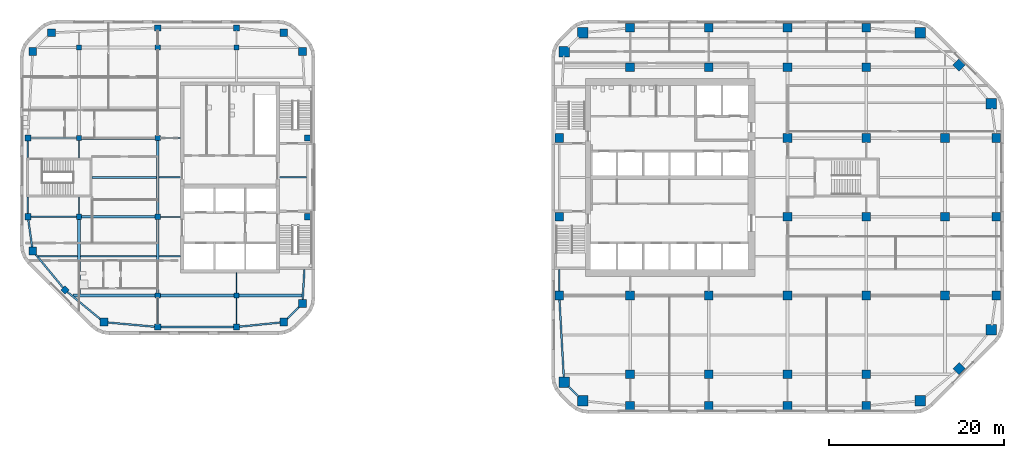
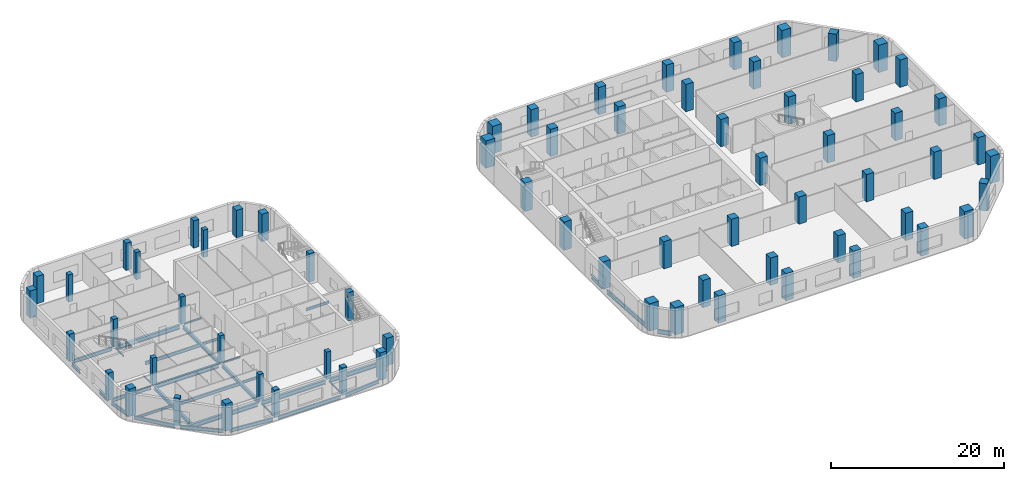
# One storey, part 1 of 14: 69 columns, 36 beams.
"""IFC4 building model written with IfcOpenShell, lengths in metres."""

import ifcopenshell
import ifcopenshell.guid

model = None  # the IFC model being written
_history = None  # IfcOwnerHistory: only IFC2X3 demands one
_inside = {}  # id of a spatial element -> (the spatial element, [elements in it])
_under = {}  # id of a project, library or spatial element -> (it, [spatial elements below it])
_declared = {}  # id of a project -> (the project, [libraries it declares])
_typed = {}  # id of a type object -> (the type object, [elements of that type])
_made_of = {}  # id of a material, layer set ... -> (it, [elements and type objects made of it])


def new_model(schema):
    """Start an empty IFC model of exactly this schema.

    Asked for "IFC4X3", IfcOpenShell would pick the latest addendum, in which some entities
    have other attributes; the version numbers below select the first issue.
    IFC2X3 requires an IfcOwnerHistory on every rooted entity: one is made here for all.
    """
    global model, _history
    if schema == "IFC4X3":
        model = ifcopenshell.file(schema_version=(4, 3, 0, 0))
    else:
        model = ifcopenshell.file(schema=schema)
    _inside.clear()
    _under.clear()
    _declared.clear()
    _typed.clear()
    _made_of.clear()
    _history = None
    if model.schema == "IFC2X3":
        org = make("IfcOrganization", Name="unknown")
        user = make(
            "IfcPersonAndOrganization",
            ThePerson=make("IfcPerson", FamilyName="unknown"),
            TheOrganization=org,
        )
        app = make(
            "IfcApplication",
            ApplicationDeveloper=org,
            Version="unknown",
            ApplicationFullName="unknown",
            ApplicationIdentifier="unknown",
        )
        _history = make(
            "IfcOwnerHistory",
            OwningUser=user,
            OwningApplication=app,
            ChangeAction="ADDED",
            CreationDate=0,
        )
    return model


def make(cls, **values):
    """One entity of the class cls with the attributes given. An attribute that is None is left unset."""
    return model.create_entity(
        cls, **{name: value for name, value in values.items() if value is not None}
    )


def rooted(cls, **values):
    """An entity with a GlobalId (a new one), such as an element, a storey or a relation."""
    return make(cls, GlobalId=ifcopenshell.guid.new(), OwnerHistory=_history, **values)


def si_unit(unit_type, name, prefix=None):
    """IfcSIUnit, for example si_unit("LENGTHUNIT", "METRE", prefix="MILLI")."""
    return make("IfcSIUnit", UnitType=unit_type, Prefix=prefix, Name=name)


def assignment(units):
    """IfcUnitAssignment: the units of a project."""
    return None if units is None else make("IfcUnitAssignment", Units=units)


def point(xyz):
    """IfcCartesianPoint."""
    return None if xyz is None else make("IfcCartesianPoint", Coordinates=xyz)


def direction(xyz):
    """IfcDirection."""
    return None if xyz is None else make("IfcDirection", DirectionRatios=xyz)


def frame(location, z_axis=None, x_axis=None):
    """IfcAxis2Placement3D, a coordinate frame: its origin and axes. An axis left out is left unset."""
    return make(
        "IfcAxis2Placement3D",
        Location=point(location),
        Axis=direction(z_axis),
        RefDirection=direction(x_axis),
    )


def frame_2d(location, x_axis=None):
    """IfcAxis2Placement2D, a coordinate frame in the plane: its origin and x axis."""
    return make(
        "IfcAxis2Placement2D", Location=point(location), RefDirection=direction(x_axis)
    )


def origin():
    """The frame at (0, 0, 0) with its axes left unset."""
    return frame((0.0, 0.0, 0.0))


def origin_2d():
    """The frame at (0, 0) in the plane with its x axis left unset."""
    return frame_2d((0.0, 0.0))


def place(relative_to, where):
    """IfcLocalPlacement: puts the frame where relative to a parent placement (None: the world)."""
    return make(
        "IfcLocalPlacement", PlacementRelTo=relative_to, RelativePlacement=where
    )


def context(
    kind, dimensions, precision=None, world=None, true_north=None, identifier=None
):
    """IfcGeometricRepresentationContext, for example the 3D "Model" context."""
    return make(
        "IfcGeometricRepresentationContext",
        ContextIdentifier=identifier,
        ContextType=kind,
        CoordinateSpaceDimension=dimensions,
        Precision=precision,
        WorldCoordinateSystem=world,
        TrueNorth=true_north,
    )


def subcontext(parent, identifier, kind, view, scale=None):
    """IfcGeometricRepresentationSubContext, for example "Body" below "Model"."""
    return make(
        "IfcGeometricRepresentationSubContext",
        ContextIdentifier=identifier,
        ContextType=kind,
        ParentContext=parent,
        TargetScale=scale,
        TargetView=view,
    )


def project(units=None, contexts=None):
    """IfcProject with its units and contexts."""
    return rooted(
        "IfcProject",
        Name="project",
        RepresentationContexts=contexts,
        UnitsInContext=assignment(units),
    )


def spatial(cls, under=None, at=None, **own):
    """A site, building, storey or space (cls), placed at a placement, below another one or the project."""
    s = rooted(cls, ObjectPlacement=at, **own)
    if under is not None:
        _under.setdefault(under.id(), (under, []))[1].append(s)
    return s


def profile(cls, at=None, kind="AREA", **sizes):
    """A parametric profile (cls). Its sizes go by their IFC names, for example OverallWidth=200.0."""
    return make(cls, ProfileType=kind, Position=at, **sizes)


def rectangle(**sizes):
    """IfcRectangleProfileDef."""
    return profile("IfcRectangleProfileDef", **sizes)


def i_section(**sizes):
    """IfcIShapeProfileDef."""
    return profile("IfcIShapeProfileDef", **sizes)


def extrude(swept, where, along, depth):
    """IfcExtrudedAreaSolid: the profile swept, set in the frame where, extruded along a direction by depth."""
    return make(
        "IfcExtrudedAreaSolid",
        SweptArea=swept,
        Position=where,
        ExtrudedDirection=direction(along),
        Depth=depth,
    )


def shape(context_of_items, identifier, shape_type, items):
    """IfcShapeRepresentation: the items that make up one representation, for example the "Body"."""
    return make(
        "IfcShapeRepresentation",
        ContextOfItems=context_of_items,
        RepresentationIdentifier=identifier,
        RepresentationType=shape_type,
        Items=items,
    )


def material(Name=None, Category=None):
    """IfcMaterial."""
    return make("IfcMaterial", Name=Name, Category=Category)


def material_profile(
    of_material, cross_section, Name=None, Category=None, Priority=None
):
    """IfcMaterialProfile: a cross section and its material."""
    return make(
        "IfcMaterialProfile",
        Name=Name,
        Material=of_material,
        Profile=cross_section,
        Priority=Priority,
        Category=Category,
    )


def profile_set(profiles, Name=None, composite=None):
    """IfcMaterialProfileSet."""
    return make(
        "IfcMaterialProfileSet",
        Name=Name,
        MaterialProfiles=profiles,
        CompositeProfile=composite,
    )


def made_of(thing, what):
    """Note that an element or type object is made of a material, layer set ...; save() writes the relation."""
    if what is not None:
        _made_of.setdefault(what.id(), (what, []))[1].append(thing)
    return thing


def type_object(cls, material=None, **own):
    """A type object (cls), such as IfcWallType, which elements share."""
    return made_of(rooted(cls, **own), material)


def element(
    cls,
    number,
    at=None,
    inside=None,
    cuts=None,
    type_object=None,
    material=None,
    context=None,
    identifier="Body",
    shape_type=None,
    held_by="IfcProductDefinitionShape",
    body=None,
    shapes=None,
    **own,
):
    """One element of the class cls, such as IfcWall. Its Tag is "e" and its number.

    at: its placement. inside: the storey or other place that contains it. cuts: it is an
    opening in that element (IfcRelVoidsElement). A single representation is given by context,
    identifier, shape_type and body (its items); several are given by shapes. held_by: the class
    of the entity that holds the representations. save() writes the other relations.
    """
    e = rooted(cls, Tag="e%d" % number, ObjectPlacement=at, **own)
    if body is not None:
        shapes = [shape(context, identifier, shape_type, body)]
    if shapes is not None:
        e.Representation = make(held_by, Representations=shapes)
    if inside is not None:
        _inside.setdefault(inside.id(), (inside, []))[1].append(e)
    if cuts is not None:
        rooted(
            "IfcRelVoidsElement", RelatingBuildingElement=cuts, RelatedOpeningElement=e
        )
    if type_object is not None:
        _typed.setdefault(type_object.id(), (type_object, []))[1].append(e)
    return made_of(e, material)


def aggregate(whole, parts):
    """IfcRelAggregates: a whole, such as a stair, and the parts it consists of."""
    return rooted("IfcRelAggregates", RelatingObject=whole, RelatedObjects=parts)


def save(model, path):
    """Write the relations noted so far, then the file.

    IfcRelAggregates (storeys below a building ...), IfcRelContainedInSpatialStructure (elements
    in a storey), IfcRelDefinesByType, IfcRelAssociatesMaterial and IfcRelDeclares: one each for
    every whole, place, type object, material and project.
    """
    for whole, parts in _under.values():
        aggregate(whole, parts)
    for where, things in _inside.values():
        rooted(
            "IfcRelContainedInSpatialStructure",
            RelatedElements=things,
            RelatingStructure=where,
        )
    for kind, things in _typed.values():
        rooted("IfcRelDefinesByType", RelatedObjects=things, RelatingType=kind)
    for what, things in _made_of.values():
        rooted("IfcRelAssociatesMaterial", RelatedObjects=things, RelatingMaterial=what)
    for by, libraries in _declared.values():
        rooted("IfcRelDeclares", RelatingContext=by, RelatedDefinitions=libraries)
    model.write(path)


model = new_model("IFC4")

# Units and contexts
model_context = context("Model", 3, precision=1e-05, world=origin(), true_north=direction((0.0, 1.0)))
body_context = subcontext(model_context, "Body", "Model", "MODEL_VIEW")
ifc_project = project(units=[si_unit("LENGTHUNIT", "METRE"), si_unit("AREAUNIT", "SQUARE_METRE"), si_unit("VOLUMEUNIT", "CUBIC_METRE"), si_unit("PLANEANGLEUNIT", "RADIAN"), si_unit("MASSUNIT", "GRAM", prefix="KILO")], contexts=[model_context])

# Site, building, storey
site_placement = place(None, origin())
site = spatial("IfcSite", under=ifc_project, at=site_placement, CompositionType="ELEMENT")
building_placement = place(site_placement, origin())
building = spatial("IfcBuilding", under=site, at=building_placement, Name="Cinnabar Reach Civic Tower", CompositionType="ELEMENT")
storey_placement = place(building_placement, frame((0.0, 0.0, 132.0)))
storey = spatial("IfcBuildingStorey", under=building, at=storey_placement, Name="L31", CompositionType="ELEMENT", Elevation=132.0)

# Columns
ifc_material_1 = material(Name="Concrete C70", Category="concrete")
ifc_material_profile_1 = material_profile(ifc_material_1, rectangle(XDim=1.0, YDim=1.0, at=origin_2d()), Name="RC1000")
ifc_profile_set_1 = profile_set([ifc_material_profile_1], Name="Concrete C70")
column_type_1 = type_object("IfcColumnType", Name="RC1000 column R 240", PredefinedType="COLUMN", material=ifc_profile_set_1)
for number, where, z_axis, x_axis, name in (
    (1, (9.0, 5.4, 0.0), (0.0, 0.0, 1.0), (1.0, 0.0, 0.0), "Column T1-Z2-F0-1"),
    (2, (18.0, 5.4, 0.0), (0.0, 0.0, 1.0), (1.0, 0.0, 0.0), "Column T1-Z2-F0-2"),
    (3, (27.0, 5.4, 0.0), (0.0, 0.0, 1.0), (1.0, 0.0, 0.0), "Column T1-Z2-F0-3"),
    (4, (36.0, 5.4, 0.0), (0.0, 0.0, 1.0), (1.0, 0.0, 0.0), "Column T1-Z2-F0-4"),
    (5, (46.6136, 9.6364, 0.0), (0.0, 0.0, 1.0), (0.707106781187, 0.707106781187, 0.0), "Column T1-Z2-F1-M"),
    (6, (50.85, 18.0, 0.0), (0.0, 0.0, 1.0), (1.0, 0.0, 0.0), "Column T1-Z2-F2-2"),
    (7, (50.85, 27.0, 0.0), (0.0, 0.0, 1.0), (1.0, 0.0, 0.0), "Column T1-Z2-F2-3"),
    (8, (50.85, 36.0, 0.0), (0.0, 0.0, 1.0), (1.0, 0.0, 0.0), "Column T1-Z2-F2-4"),
    (9, (46.6136, 44.3636, 0.0), (0.0, 0.0, 1.0), (0.707106781187, 0.707106781187, 0.0), "Column T1-Z2-F3-M"),
    (10, (9.0, 48.6, 0.0), (0.0, 0.0, 1.0), (1.0, 0.0, 0.0), "Column T1-Z2-F4-1"),
    (11, (18.0, 48.6, 0.0), (0.0, 0.0, 1.0), (1.0, 0.0, 0.0), "Column T1-Z2-F4-2"),
    (12, (27.0, 48.6, 0.0), (0.0, 0.0, 1.0), (1.0, 0.0, 0.0), "Column T1-Z2-F4-3"),
    (13, (36.0, 48.6, 0.0), (0.0, 0.0, 1.0), (1.0, 0.0, 0.0), "Column T1-Z2-F4-4"),
    (14, (0.9, 18.0, 0.0), (0.0, 0.0, 1.0), (1.0, 0.0, 0.0), "Column T1-Z2-F6-2"),
):
    element("IfcColumn", number, at=place(storey_placement, frame(where, z_axis=z_axis, x_axis=x_axis)), inside=storey, type_object=column_type_1, Name=name, PredefinedType="COLUMN", context=body_context, shape_type="SweptSolid", body=[
        extrude(rectangle(XDim=1.0, YDim=1.0, at=origin_2d()), origin(), (0.0, 0.0, 1.0), 3.85),
    ])
for number, where, z_axis, x_axis, name in (
    (15, (0.9, 27.0, 0.0), (0.0, 0.0, 1.0), (1.0, 0.0, 0.0), "Column T1-Z2-F6-3"),
    (16, (0.9, 36.0, 0.0), (0.0, 0.0, 1.0), (1.0, 0.0, 0.0), "Column T1-Z2-F6-4"),
):
    element("IfcColumn", number, at=place(storey_placement, frame(where, z_axis=z_axis, x_axis=x_axis)), inside=storey, type_object=column_type_1, Name=name, PredefinedType="COLUMN", context=body_context, shape_type="SweptSolid", body=[
        extrude(rectangle(XDim=1.0, YDim=1.0, at=origin_2d()), origin(), (0.0, 0.0, 1.0), 4.0),
    ])
for number, where, z_axis, x_axis, name in (
    (17, (9.0, 9.0, 0.0), (0.0, 0.0, 1.0), (1.0, 0.0, 0.0), "Column T1-Z2-I9_9"),
    (18, (9.0, 18.0, 0.0), (0.0, 0.0, 1.0), (1.0, 0.0, 0.0), "Column T1-Z2-I9_18"),
    (19, (9.0, 44.1, 0.0), (0.0, 0.0, 1.0), (1.0, 0.0, 0.0), "Column T1-Z2-I9_45"),
    (20, (18.0, 9.0, 0.0), (0.0, 0.0, 1.0), (1.0, 0.0, 0.0), "Column T1-Z2-I18_9"),
    (21, (18.0, 18.0, 0.0), (0.0, 0.0, 1.0), (1.0, 0.0, 0.0), "Column T1-Z2-I18_18"),
    (22, (18.0, 44.1, 0.0), (0.0, 0.0, 1.0), (1.0, 0.0, 0.0), "Column T1-Z2-I18_45"),
    (23, (27.0, 9.0, 0.0), (0.0, 0.0, 1.0), (1.0, 0.0, 0.0), "Column T1-Z2-I27_9"),
    (24, (27.0, 18.0, 0.0), (0.0, 0.0, 1.0), (1.0, 0.0, 0.0), "Column T1-Z2-I27_18"),
    (25, (27.0, 27.0, 0.0), (0.0, 0.0, 1.0), (1.0, 0.0, 0.0), "Column T1-Z2-I27_27"),
    (26, (27.0, 36.0, 0.0), (0.0, 0.0, 1.0), (1.0, 0.0, 0.0), "Column T1-Z2-I27_36"),
    (27, (27.0, 44.1, 0.0), (0.0, 0.0, 1.0), (1.0, 0.0, 0.0), "Column T1-Z2-I27_45"),
    (28, (36.0, 9.0, 0.0), (0.0, 0.0, 1.0), (1.0, 0.0, 0.0), "Column T1-Z2-I36_9"),
    (29, (36.0, 18.0, 0.0), (0.0, 0.0, 1.0), (1.0, 0.0, 0.0), "Column T1-Z2-I36_18"),
    (30, (36.0, 27.0, 0.0), (0.0, 0.0, 1.0), (1.0, 0.0, 0.0), "Column T1-Z2-I36_27"),
    (31, (36.0, 36.0, 0.0), (0.0, 0.0, 1.0), (1.0, 0.0, 0.0), "Column T1-Z2-I36_36"),
    (32, (36.0, 44.1, 0.0), (0.0, 0.0, 1.0), (1.0, 0.0, 0.0), "Column T1-Z2-I36_45"),
    (33, (45.0, 18.0, 0.0), (0.0, 0.0, 1.0), (1.0, 0.0, 0.0), "Column T1-Z2-I45_18"),
    (34, (45.0, 27.0, 0.0), (0.0, 0.0, 1.0), (1.0, 0.0, 0.0), "Column T1-Z2-I45_27"),
    (35, (45.0, 36.0, 0.0), (0.0, 0.0, 1.0), (1.0, 0.0, 0.0), "Column T1-Z2-I45_36"),
):
    element("IfcColumn", number, at=place(storey_placement, frame(where, z_axis=z_axis, x_axis=x_axis)), inside=storey, type_object=column_type_1, Name=name, PredefinedType="COLUMN", context=body_context, shape_type="SweptSolid", body=[
        extrude(rectangle(XDim=1.0, YDim=1.0, at=origin_2d()), origin(), (0.0, 0.0, 1.0), 3.85),
    ])
ifc_material_2 = material(Name="Concrete C80", Category="concrete")
ifc_material_profile_2 = material_profile(ifc_material_2, rectangle(XDim=1.2, YDim=1.2, at=origin_2d()), Name="RC1200")
ifc_profile_set_2 = profile_set([ifc_material_profile_2], Name="Concrete C80")
column_type_2 = type_object("IfcColumnType", Name="RC1200 column R 240", PredefinedType="COLUMN", material=ifc_profile_set_2)
for number, where, z_axis, x_axis, name in (
    (36, (3.6019, 5.9531, 0.0), (0.0, 0.0, 1.0), (1.0, 0.0, 0.0), "Column T1-Z2-CC0"),
    (37, (42.1481, 5.9531, 0.0), (0.0, 0.0, 1.0), (1.0, 0.0, 0.0), "Column T1-Z2-CC1"),
    (38, (50.2969, 14.1019, 0.0), (0.0, 0.0, 1.0), (1.0, 0.0, 0.0), "Column T1-Z2-CC2"),
    (39, (50.2969, 39.8981, 0.0), (0.0, 0.0, 1.0), (1.0, 0.0, 0.0), "Column T1-Z2-CC3"),
    (40, (42.1481, 48.0469, 0.0), (0.0, 0.0, 1.0), (1.0, 0.0, 0.0), "Column T1-Z2-CC4"),
    (41, (3.6019, 48.0469, 0.0), (0.0, 0.0, 1.0), (1.0, 0.0, 0.0), "Column T1-Z2-CC5"),
    (42, (1.4531, 45.8981, 0.0), (0.0, 0.0, 1.0), (1.0, 0.0, 0.0), "Column T1-Z2-CC6"),
    (43, (1.4531, 8.1019, 0.0), (0.0, 0.0, 1.0), (1.0, 0.0, 0.0), "Column T1-Z2-CC7"),
):
    element("IfcColumn", number, at=place(storey_placement, frame(where, z_axis=z_axis, x_axis=x_axis)), inside=storey, type_object=column_type_2, Name=name, PredefinedType="COLUMN", context=body_context, shape_type="SweptSolid", body=[
        extrude(rectangle(XDim=1.2, YDim=1.2, at=origin_2d()), origin(), (0.0, 0.0, 1.0), 3.85),
    ])
ifc_material_3 = material(Name="Concrete C60", Category="concrete")
ifc_material_profile_3 = material_profile(ifc_material_3, rectangle(XDim=0.6, YDim=0.6, at=origin_2d()), Name="RC600")
ifc_profile_set_3 = profile_set([ifc_material_profile_3], Name="Concrete C60")
column_type_3 = type_object("IfcColumnType", Name="RC600 column R 180", PredefinedType="COLUMN", material=ifc_profile_set_3)
for number, where, z_axis, x_axis, name in (
    (44, (-54.0, 27.0, 0.0), (0.0, 0.0, 1.0), (1.0, 0.0, 0.0), "Column T2-Z3-I-54_27"),
    (45, (-54.0, 36.0, 0.0), (0.0, 0.0, 1.0), (1.0, 0.0, 0.0), "Column T2-Z3-I-54_36"),
    (46, (-54.0, 46.35, 0.0), (0.0, 0.0, 1.0), (1.0, 0.0, 0.0), "Column T2-Z3-I-54_45"),
    (47, (-45.0, 18.0, 0.0), (0.0, 0.0, 1.0), (1.0, 0.0, 0.0), "Column T2-Z3-I-45_18"),
    (48, (-45.0, 27.0, 0.0), (0.0, 0.0, 1.0), (1.0, 0.0, 0.0), "Column T2-Z3-I-45_27"),
    (49, (-45.0, 36.0, 0.0), (0.0, 0.0, 1.0), (1.0, 0.0, 0.0), "Column T2-Z3-I-45_36"),
    (50, (-45.0, 46.35, 0.0), (0.0, 0.0, 1.0), (1.0, 0.0, 0.0), "Column T2-Z3-I-45_45"),
    (51, (-36.0, 18.0, 0.0), (0.0, 0.0, 1.0), (1.0, 0.0, 0.0), "Column T2-Z3-I-36_18"),
    (52, (-36.0, 46.35, 0.0), (0.0, 0.0, 1.0), (1.0, 0.0, 0.0), "Column T2-Z3-I-36_45"),
):
    element("IfcColumn", number, at=place(storey_placement, frame(where, z_axis=z_axis, x_axis=x_axis)), inside=storey, type_object=column_type_3, Name=name, PredefinedType="COLUMN", context=body_context, shape_type="SweptSolid", body=[
        extrude(rectangle(XDim=0.6, YDim=0.6, at=origin_2d()), origin(), (0.0, 0.0, 1.0), 3.85),
    ])
ifc_material_profile_4 = material_profile(ifc_material_3, rectangle(XDim=0.7, YDim=0.7, at=origin_2d()), Name="RC700")
ifc_profile_set_4 = profile_set([ifc_material_profile_4], Name="Concrete C60")
column_type_4 = type_object("IfcColumnType", Name="RC700 column R 180", PredefinedType="COLUMN", material=ifc_profile_set_4)
for number, where, z_axis, x_axis, name in (
    (53, (-45.0, 14.4, 0.0), (0.0, 0.0, 1.0), (1.0, 0.0, 0.0), "Column T2-Z3-F0--5"),
    (54, (-36.0, 14.4, 0.0), (0.0, 0.0, 1.0), (1.0, 0.0, 0.0), "Column T2-Z3-F0--4"),
):
    element("IfcColumn", number, at=place(storey_placement, frame(where, z_axis=z_axis, x_axis=x_axis)), inside=storey, type_object=column_type_4, Name=name, PredefinedType="COLUMN", context=body_context, shape_type="SweptSolid", body=[
        extrude(rectangle(XDim=0.7, YDim=0.7, at=origin_2d()), origin(), (0.0, 0.0, 1.0), 3.85),
    ])
for number, where, z_axis, x_axis, name in (
    (55, (-27.9, 27.0, 0.0), (0.0, 0.0, 1.0), (1.0, 0.0, 0.0), "Column T2-Z3-F2-3"),
    (56, (-27.9, 36.0, 0.0), (0.0, 0.0, 1.0), (1.0, 0.0, 0.0), "Column T2-Z3-F2-4"),
):
    element("IfcColumn", number, at=place(storey_placement, frame(where, z_axis=z_axis, x_axis=x_axis)), inside=storey, type_object=column_type_4, Name=name, PredefinedType="COLUMN", context=body_context, shape_type="SweptSolid", body=[
        extrude(rectangle(XDim=0.7, YDim=0.7, at=origin_2d()), origin(), (0.0, 0.0, 1.0), 4.0),
    ])
for number, where, z_axis, x_axis, name in (
    (57, (-45.0, 48.6, 0.0), (0.0, 0.0, 1.0), (1.0, 0.0, 0.0), "Column T2-Z3-F4--5"),
    (58, (-36.0, 48.6, 0.0), (0.0, 0.0, 1.0), (1.0, 0.0, 0.0), "Column T2-Z3-F4--4"),
    (59, (-59.85, 27.0, 0.0), (0.0, 0.0, 1.0), (1.0, 0.0, 0.0), "Column T2-Z3-F6-3"),
    (60, (-59.85, 36.0, 0.0), (0.0, 0.0, 1.0), (1.0, 0.0, 0.0), "Column T2-Z3-F6-4"),
    (61, (-55.6136, 18.6364, 0.0), (0.0, 0.0, 1.0), (0.707106781187, 0.707106781187, 0.0), "Column T2-Z3-F7-M"),
):
    element("IfcColumn", number, at=place(storey_placement, frame(where, z_axis=z_axis, x_axis=x_axis)), inside=storey, type_object=column_type_4, Name=name, PredefinedType="COLUMN", context=body_context, shape_type="SweptSolid", body=[
        extrude(rectangle(XDim=0.7, YDim=0.7, at=origin_2d()), origin(), (0.0, 0.0, 1.0), 3.85),
    ])
ifc_material_profile_5 = material_profile(ifc_material_1, rectangle(XDim=0.9, YDim=0.9, at=origin_2d()), Name="RC900")
ifc_profile_set_5 = profile_set([ifc_material_profile_5], Name="Concrete C70")
column_type_5 = type_object("IfcColumnType", Name="RC900 column R 180", PredefinedType="COLUMN", material=ifc_profile_set_5)
for number, where, z_axis, x_axis, name in (
    (62, (-51.1481, 14.9531, 0.0), (0.0, 0.0, 1.0), (1.0, 0.0, 0.0), "Column T2-Z3-CC0"),
    (63, (-30.6019, 14.9531, 0.0), (0.0, 0.0, 1.0), (1.0, 0.0, 0.0), "Column T2-Z3-CC1"),
    (64, (-28.4531, 17.1019, 0.0), (0.0, 0.0, 1.0), (1.0, 0.0, 0.0), "Column T2-Z3-CC2"),
    (65, (-28.4531, 45.8981, 0.0), (0.0, 0.0, 1.0), (1.0, 0.0, 0.0), "Column T2-Z3-CC3"),
    (66, (-30.6019, 48.0469, 0.0), (0.0, 0.0, 1.0), (1.0, 0.0, 0.0), "Column T2-Z3-CC4"),
    (67, (-57.1481, 48.0469, 0.0), (0.0, 0.0, 1.0), (1.0, 0.0, 0.0), "Column T2-Z3-CC5"),
    (68, (-59.2969, 45.8981, 0.0), (0.0, 0.0, 1.0), (1.0, 0.0, 0.0), "Column T2-Z3-CC6"),
    (69, (-59.2969, 23.1019, 0.0), (0.0, 0.0, 1.0), (1.0, 0.0, 0.0), "Column T2-Z3-CC7"),
):
    element("IfcColumn", number, at=place(storey_placement, frame(where, z_axis=z_axis, x_axis=x_axis)), inside=storey, type_object=column_type_5, Name=name, PredefinedType="COLUMN", context=body_context, shape_type="SweptSolid", body=[
        extrude(rectangle(XDim=0.9, YDim=0.9, at=origin_2d()), origin(), (0.0, 0.0, 1.0), 3.85),
    ])

# Beams
ifc_material_4 = material(Name="Steel Q355B", Category="steel")
ifc_material_profile_6 = material_profile(ifc_material_4, i_section(OverallWidth=0.3, OverallDepth=0.488, WebThickness=0.011, FlangeThickness=0.018, FilletRadius=0.016, at=origin_2d()), Name="HM488x300x11x18")
ifc_profile_set_6 = profile_set([ifc_material_profile_6], Name="Steel Q355B")
beam_type_1 = type_object("IfcBeamType", Name="HM488x300x11x18 beam R 120", PredefinedType="BEAM", material=ifc_profile_set_6)
beam_1_placement = place(storey_placement, frame((-54.0, 18.152, -0.394), z_axis=(0.0, 1.0, 0.0), x_axis=(-1.0, 0.0, 0.0)))
element("IfcBeam", 70, at=beam_1_placement, inside=storey, type_object=beam_type_1, Name="Girder T2 L31 1", PredefinedType="BEAM", context=body_context, shape_type="SweptSolid", body=[
    extrude(i_section(OverallWidth=0.3, OverallDepth=0.488, WebThickness=0.011, FlangeThickness=0.018, FilletRadius=0.016, at=origin_2d()), origin(), (0.0, 0.0, 1.0), 8.546),
])
for number, where, z_axis, x_axis, name in (
    (71, (-45.0, 18.302, -0.394), (0.0, 1.0, 0.0), (-1.0, 0.0, 0.0), "Girder T2 L31 7"),
    (72, (-45.0, 27.302, -0.394), (0.0, 1.0, 0.0), (-1.0, 0.0, 0.0), "Girder T2 L31 8"),
):
    element("IfcBeam", number, at=place(storey_placement, frame(where, z_axis=z_axis, x_axis=x_axis)), inside=storey, type_object=beam_type_1, Name=name, PredefinedType="BEAM", context=body_context, shape_type="SweptSolid", body=[
        extrude(i_section(OverallWidth=0.3, OverallDepth=0.488, WebThickness=0.011, FlangeThickness=0.018, FilletRadius=0.016, at=origin_2d()), origin(), (0.0, 0.0, 1.0), 8.396),
    ])
ifc_material_profile_7 = material_profile(ifc_material_4, i_section(OverallWidth=0.3, OverallDepth=0.588, WebThickness=0.012, FlangeThickness=0.02, FilletRadius=0.016, at=origin_2d()), Name="HM588x300x12x20")
ifc_profile_set_7 = profile_set([ifc_material_profile_7], Name="Steel Q355B")
beam_type_2 = type_object("IfcBeamType", Name="HM588x300x12x20 beam R 120", PredefinedType="BEAM", material=ifc_profile_set_7)
beam_2_placement = place(storey_placement, frame((-54.6818, 18.0, -0.444), z_axis=(1.0, 0.0, 0.0), x_axis=(0.0, 1.0, 0.0)))
element("IfcBeam", 73, at=beam_2_placement, inside=storey, type_object=beam_type_2, Name="Girder T2 L31 1", PredefinedType="BEAM", context=body_context, shape_type="SweptSolid", body=[
    extrude(i_section(OverallWidth=0.3, OverallDepth=0.588, WebThickness=0.012, FlangeThickness=0.02, FilletRadius=0.016, at=origin_2d()), origin(), (0.0, 0.0, 1.0), 9.3798),
])
beam_3_placement = place(storey_placement, frame((-44.698, 18.0, -0.444), z_axis=(1.0, 0.0, 0.0), x_axis=(0.0, 1.0, 0.0)))
element("IfcBeam", 74, at=beam_3_placement, inside=storey, type_object=beam_type_2, Name="Girder T2 L31 2", PredefinedType="BEAM", context=body_context, shape_type="SweptSolid", body=[
    extrude(i_section(OverallWidth=0.3, OverallDepth=0.588, WebThickness=0.012, FlangeThickness=0.02, FilletRadius=0.016, at=origin_2d()), origin(), (0.0, 0.0, 1.0), 8.396),
])
beam_4_placement = place(storey_placement, frame((-35.698, 18.0, -0.444), z_axis=(1.0, 0.0, 0.0), x_axis=(0.0, 1.0, 0.0)))
element("IfcBeam", 75, at=beam_4_placement, inside=storey, type_object=beam_type_2, Name="Girder T2 L31 3", PredefinedType="BEAM", context=body_context, shape_type="SweptSolid", body=[
    extrude(i_section(OverallWidth=0.3, OverallDepth=0.588, WebThickness=0.012, FlangeThickness=0.02, FilletRadius=0.016, at=origin_2d()), origin(), (0.0, 0.0, 1.0), 7.1929),
])
for number, where, z_axis, x_axis, name in (
    (76, (-53.698, 27.0, -0.444), (1.0, 0.0, 0.0), (0.0, 1.0, 0.0), "Girder T2 L31 5"),
    (77, (-53.698, 36.0, -0.444), (1.0, 0.0, 0.0), (0.0, 1.0, 0.0), "Girder T2 L31 8"),
):
    element("IfcBeam", number, at=place(storey_placement, frame(where, z_axis=z_axis, x_axis=x_axis)), inside=storey, type_object=beam_type_2, Name=name, PredefinedType="BEAM", context=body_context, shape_type="SweptSolid", body=[
        extrude(i_section(OverallWidth=0.3, OverallDepth=0.588, WebThickness=0.012, FlangeThickness=0.02, FilletRadius=0.016, at=origin_2d()), origin(), (0.0, 0.0, 1.0), 8.396),
    ])
ifc_material_profile_8 = material_profile(ifc_material_4, i_section(OverallWidth=0.099, OverallDepth=0.198, WebThickness=0.0045, FlangeThickness=0.007, FilletRadius=0.013, at=origin_2d()), Name="HN200x100x5.5x8")
ifc_profile_set_8 = profile_set([ifc_material_profile_8], Name="Steel Q355B")
beam_type_3 = type_object("IfcBeamType", Name="HN200x100x5.5x8 beam R 120", PredefinedType="BEAM", material=ifc_profile_set_8)
for number, where, z_axis, x_axis, name in (
    (78, (-54.0, 27.302, -0.249), (0.0, 1.0, 0.0), (-1.0, 0.0, 0.0), "Girder T2 L31 2"),
    (79, (-54.0, 33.752, -0.249), (0.0, 1.0, 0.0), (-1.0, 0.0, 0.0), "Girder T2 L31 3"),
):
    element("IfcBeam", number, at=place(storey_placement, frame(where, z_axis=z_axis, x_axis=x_axis)), inside=storey, type_object=beam_type_3, Name=name, PredefinedType="BEAM", context=body_context, shape_type="SweptSolid", body=[
        extrude(i_section(OverallWidth=0.099, OverallDepth=0.198, WebThickness=0.0045, FlangeThickness=0.007, FilletRadius=0.013, at=origin_2d()), origin(), (0.0, 0.0, 1.0), 1.946),
    ])
for number, where, z_axis, x_axis, name in (
    (80, (-45.0, 14.752, -0.249), (0.0, 1.0, 0.0), (-1.0, 0.0, 0.0), "Girder T2 L31 6"),
    (81, (-36.0, 14.752, -0.249), (0.0, 1.0, 0.0), (-1.0, 0.0, 0.0), "Girder T2 L31 11"),
):
    element("IfcBeam", number, at=place(storey_placement, frame(where, z_axis=z_axis, x_axis=x_axis)), inside=storey, type_object=beam_type_3, Name=name, PredefinedType="BEAM", context=body_context, shape_type="SweptSolid", body=[
        extrude(i_section(OverallWidth=0.099, OverallDepth=0.198, WebThickness=0.0045, FlangeThickness=0.007, FilletRadius=0.013, at=origin_2d()), origin(), (0.0, 0.0, 1.0), 2.946),
    ])
beam_5_placement = place(storey_placement, frame((-36.0, 18.302, -0.249), z_axis=(0.0, 1.0, 0.0), x_axis=(-1.0, 0.0, 0.0)))
element("IfcBeam", 82, at=beam_5_placement, inside=storey, type_object=beam_type_3, Name="Girder T2 L31 12", PredefinedType="BEAM", context=body_context, shape_type="SweptSolid", body=[
    extrude(i_section(OverallWidth=0.099, OverallDepth=0.198, WebThickness=0.0045, FlangeThickness=0.007, FilletRadius=0.013, at=origin_2d()), origin(), (0.0, 0.0, 1.0), 2.296),
])
ifc_material_profile_9 = material_profile(ifc_material_4, i_section(OverallWidth=0.124, OverallDepth=0.248, WebThickness=0.005, FlangeThickness=0.008, FilletRadius=0.013, at=origin_2d()), Name="HN250x125x6x9")
ifc_profile_set_9 = profile_set([ifc_material_profile_9], Name="Steel Q355B")
beam_type_4 = type_object("IfcBeamType", Name="HN250x125x6x9 beam R 120", PredefinedType="BEAM", material=ifc_profile_set_9)
for number, where, z_axis, x_axis, name in (
    (83, (-44.698, 27.0, -0.274), (1.0, 0.0, 0.0), (0.0, 1.0, 0.0), "Girder T2 L31 6"),
    (84, (-44.698, 36.0, -0.274), (1.0, 0.0, 0.0), (0.0, 1.0, 0.0), "Girder T2 L31 9"),
):
    element("IfcBeam", number, at=place(storey_placement, frame(where, z_axis=z_axis, x_axis=x_axis)), inside=storey, type_object=beam_type_4, Name=name, PredefinedType="BEAM", context=body_context, shape_type="SweptSolid", body=[
        extrude(i_section(OverallWidth=0.124, OverallDepth=0.248, WebThickness=0.005, FlangeThickness=0.008, FilletRadius=0.013, at=origin_2d()), origin(), (0.0, 0.0, 1.0), 2.296),
    ])
ifc_material_profile_10 = material_profile(ifc_material_4, i_section(OverallWidth=0.175, OverallDepth=0.35, WebThickness=0.007, FlangeThickness=0.011, FilletRadius=0.013, at=origin_2d()), Name="HN350x175x7x11")
ifc_profile_set_10 = profile_set([ifc_material_profile_10], Name="Steel Q355B")
beam_type_5 = type_object("IfcBeamType", Name="HN350x175x7x11 beam R 120", PredefinedType="BEAM", material=ifc_profile_set_10)
beam_6_placement = place(storey_placement, frame((-58.6682, 22.5, -0.325), z_axis=(1.0, 0.0, 0.0), x_axis=(0.0, 1.0, 0.0)))
element("IfcBeam", 85, at=beam_6_placement, inside=storey, type_object=beam_type_5, Name="Secondary beam T2 L31 1", PredefinedType="BEAM", context=body_context, shape_type="SweptSolid", body=[
    extrude(i_section(OverallWidth=0.175, OverallDepth=0.35, WebThickness=0.007, FlangeThickness=0.011, FilletRadius=0.013, at=origin_2d()), origin(), (0.0, 0.0, 1.0), 4.5162),
])
for number, where, z_axis, x_axis, name in (
    (86, (-44.848, 22.5, -0.325), (1.0, 0.0, 0.0), (0.0, 1.0, 0.0), "Secondary beam T2 L31 3"),
    (87, (-44.848, 31.5, -0.325), (1.0, 0.0, 0.0), (0.0, 1.0, 0.0), "Secondary beam T2 L31 5"),
):
    element("IfcBeam", number, at=place(storey_placement, frame(where, z_axis=z_axis, x_axis=x_axis)), inside=storey, type_object=beam_type_5, Name=name, PredefinedType="BEAM", context=body_context, shape_type="SweptSolid", body=[
        extrude(i_section(OverallWidth=0.175, OverallDepth=0.35, WebThickness=0.007, FlangeThickness=0.011, FilletRadius=0.013, at=origin_2d()), origin(), (0.0, 0.0, 1.0), 2.446),
    ])
beam_7_placement = place(storey_placement, frame((-31.098, 31.5, -0.325), z_axis=(1.0, 0.0, 0.0), x_axis=(0.0, 1.0, 0.0)))
element("IfcBeam", 88, at=beam_7_placement, inside=storey, type_object=beam_type_5, Name="Secondary beam T2 L31 6", PredefinedType="BEAM", context=body_context, shape_type="SweptSolid", body=[
    extrude(i_section(OverallWidth=0.175, OverallDepth=0.35, WebThickness=0.007, FlangeThickness=0.011, FilletRadius=0.013, at=origin_2d()), origin(), (0.0, 0.0, 1.0), 3.096),
])
ifc_material_profile_11 = material_profile(ifc_material_4, i_section(OverallWidth=0.2, OverallDepth=0.45, WebThickness=0.009, FlangeThickness=0.014, FilletRadius=0.016, at=origin_2d()), Name="HN450x200x9x14")
ifc_profile_set_11 = profile_set([ifc_material_profile_11], Name="Steel Q355B")
beam_type_6 = type_object("IfcBeamType", Name="HN450x200x9x14 beam R 120", PredefinedType="BEAM", material=ifc_profile_set_11)
beam_8_placement = place(storey_placement, frame((-53.848, 22.5, -0.375), z_axis=(1.0, 0.0, 0.0), x_axis=(0.0, 1.0, 0.0)))
element("IfcBeam", 89, at=beam_8_placement, inside=storey, type_object=beam_type_6, Name="Secondary beam T2 L31 2", PredefinedType="BEAM", context=body_context, shape_type="SweptSolid", body=[
    extrude(i_section(OverallWidth=0.2, OverallDepth=0.45, WebThickness=0.009, FlangeThickness=0.014, FilletRadius=0.016, at=origin_2d()), origin(), (0.0, 0.0, 1.0), 8.696),
])
beam_9_placement = place(storey_placement, frame((-52.498, 31.5, -0.375), z_axis=(1.0, 0.0, 0.0), x_axis=(0.0, 1.0, 0.0)))
element("IfcBeam", 90, at=beam_9_placement, inside=storey, type_object=beam_type_6, Name="Secondary beam T2 L31 4", PredefinedType="BEAM", context=body_context, shape_type="SweptSolid", body=[
    extrude(i_section(OverallWidth=0.2, OverallDepth=0.45, WebThickness=0.009, FlangeThickness=0.014, FilletRadius=0.016, at=origin_2d()), origin(), (0.0, 0.0, 1.0), 7.346),
])
ifc_material_profile_12 = material_profile(ifc_material_4, i_section(OverallWidth=0.2, OverallDepth=0.5, WebThickness=0.01, FlangeThickness=0.016, FilletRadius=0.016, at=origin_2d()), Name="HN500x200x10x16")
ifc_profile_set_12 = profile_set([ifc_material_profile_12], Name="Steel Q355B")
beam_type_7 = type_object("IfcBeamType", Name="HN500x200x10x16 beam R 120", PredefinedType="BEAM", material=ifc_profile_set_12)
beam_10_placement = place(storey_placement, frame((-50.8161, 14.9232, -0.4), z_axis=(0.99597881512, -0.089589060894, 0.0), x_axis=(0.089589060894, 0.99597881512, 0.0)))
element("IfcBeam", 91, at=beam_10_placement, inside=storey, type_object=beam_type_7, Name="Edge beam T2 L31 1", PredefinedType="BEAM", context=body_context, shape_type="SweptSolid", body=[
    extrude(i_section(OverallWidth=0.2, OverallDepth=0.5, WebThickness=0.01, FlangeThickness=0.016, FilletRadius=0.016, at=origin_2d()), origin(), (0.0, 0.0, 1.0), 5.4862),
])
beam_11_placement = place(storey_placement, frame((-44.648, 14.4, -0.4), z_axis=(1.0, 0.0, 0.0), x_axis=(0.0, 1.0, 0.0)))
element("IfcBeam", 92, at=beam_11_placement, inside=storey, type_object=beam_type_7, Name="Edge beam T2 L31 2", PredefinedType="BEAM", context=body_context, shape_type="SweptSolid", body=[
    extrude(i_section(OverallWidth=0.2, OverallDepth=0.5, WebThickness=0.01, FlangeThickness=0.016, FilletRadius=0.016, at=origin_2d()), origin(), (0.0, 0.0, 1.0), 8.296),
])
beam_12_placement = place(storey_placement, frame((-35.648, 14.4361, -0.4), z_axis=(0.994792087401, 0.101924986363, 0.0), x_axis=(-0.101924986363, 0.994792087401, 0.0)))
element("IfcBeam", 93, at=beam_12_placement, inside=storey, type_object=beam_type_7, Name="Edge beam T2 L31 3", PredefinedType="BEAM", context=body_context, shape_type="SweptSolid", body=[
    extrude(i_section(OverallWidth=0.2, OverallDepth=0.5, WebThickness=0.01, FlangeThickness=0.016, FilletRadius=0.016, at=origin_2d()), origin(), (0.0, 0.0, 1.0), 4.7388),
])
beam_13_placement = place(storey_placement, frame((-30.2699, 15.2851, -0.4), z_axis=(0.707106781187, 0.707106781187, 0.0), x_axis=(-0.707106781187, 0.707106781187, 0.0)))
element("IfcBeam", 94, at=beam_13_placement, inside=storey, type_object=beam_type_7, Name="Edge beam T2 L31 4", PredefinedType="BEAM", context=body_context, shape_type="SweptSolid", body=[
    extrude(i_section(OverallWidth=0.2, OverallDepth=0.5, WebThickness=0.01, FlangeThickness=0.016, FilletRadius=0.016, at=origin_2d()), origin(), (0.0, 0.0, 1.0), 2.0998),
])
beam_14_placement = place(storey_placement, frame((-28.4345, 17.4339, -0.4), z_axis=(0.055775670196, 0.99844332569, 0.0), x_axis=(-0.99844332569, 0.055775670196, 0.0)))
element("IfcBeam", 95, at=beam_14_placement, inside=storey, type_object=beam_type_7, Name="Edge beam T2 L31 5", PredefinedType="BEAM", context=body_context, shape_type="SweptSolid", body=[
    extrude(i_section(OverallWidth=0.2, OverallDepth=0.5, WebThickness=0.01, FlangeThickness=0.016, FilletRadius=0.016, at=origin_2d()), origin(), (0.0, 0.0, 1.0), 3.5697),
])
for number, where, z_axis, x_axis, name in (
    (96, (-59.85, 35.648, -0.4), (0.0, -1.0, 0.0), (1.0, 0.0, 0.0), "Edge beam T2 L31 14"),
    (97, (-59.85, 29.248, -0.4), (0.0, -1.0, 0.0), (1.0, 0.0, 0.0), "Edge beam T2 L31 15"),
):
    element("IfcBeam", number, at=place(storey_placement, frame(where, z_axis=z_axis, x_axis=x_axis)), inside=storey, type_object=beam_type_7, Name=name, PredefinedType="BEAM", context=body_context, shape_type="SweptSolid", body=[
        extrude(i_section(OverallWidth=0.2, OverallDepth=0.5, WebThickness=0.01, FlangeThickness=0.016, FilletRadius=0.016, at=origin_2d()), origin(), (0.0, 0.0, 1.0), 1.896),
    ])
beam_15_placement = place(storey_placement, frame((-59.8001, 26.648, -0.4), z_axis=(0.140498398047, -0.990080905859, 0.0), x_axis=(0.990080905859, 0.140498398047, 0.0)))
element("IfcBeam", 98, at=beam_15_placement, inside=storey, type_object=beam_type_7, Name="Edge beam T2 L31 16", PredefinedType="BEAM", context=body_context, shape_type="SweptSolid", body=[
    extrude(i_section(OverallWidth=0.2, OverallDepth=0.5, WebThickness=0.01, FlangeThickness=0.016, FilletRadius=0.016, at=origin_2d()), origin(), (0.0, 0.0, 1.0), 3.2463),
])
for number, where, z_axis, x_axis, name in (
    (99, (-59.0231, 22.7699, -0.4), (0.636307764727, -0.771435304189, 0.0), (0.771435304189, 0.636307764727, 0.0), "Edge beam T2 L31 17"),
    (100, (-55.3873, 18.4497, -0.4), (0.771435304189, -0.636307764727, 0.0), (0.636307764727, 0.771435304189, 0.0), "Edge beam T2 L31 18"),
):
    element("IfcBeam", number, at=place(storey_placement, frame(where, z_axis=z_axis, x_axis=x_axis)), inside=storey, type_object=beam_type_7, Name=name, PredefinedType="BEAM", context=body_context, shape_type="SweptSolid", body=[
        extrude(i_section(OverallWidth=0.2, OverallDepth=0.5, WebThickness=0.01, FlangeThickness=0.016, FilletRadius=0.016, at=origin_2d()), origin(), (0.0, 0.0, 1.0), 5.0648),
    ])
for number, where, z_axis, x_axis, name in (
    (101, (-59.498, 27.0, -0.4), (1.0, 0.0, 0.0), (0.0, 1.0, 0.0), "Girder T2 L31 4"),
    (102, (-59.498, 36.0, -0.4), (1.0, 0.0, 0.0), (0.0, 1.0, 0.0), "Girder T2 L31 7"),
):
    element("IfcBeam", number, at=place(storey_placement, frame(where, z_axis=z_axis, x_axis=x_axis)), inside=storey, type_object=beam_type_7, Name=name, PredefinedType="BEAM", context=body_context, shape_type="SweptSolid", body=[
        extrude(i_section(OverallWidth=0.2, OverallDepth=0.5, WebThickness=0.01, FlangeThickness=0.016, FilletRadius=0.016, at=origin_2d()), origin(), (0.0, 0.0, 1.0), 5.196),
    ])
ifc_material_profile_13 = material_profile(ifc_material_4, i_section(OverallWidth=0.2, OverallDepth=0.6, WebThickness=0.011, FlangeThickness=0.017, FilletRadius=0.016, at=origin_2d()), Name="HN600x200x11x17")
ifc_profile_set_13 = profile_set([ifc_material_profile_13], Name="Steel Q355B")
beam_type_8 = type_object("IfcBeamType", Name="HN600x200x11x17 beam R 180", PredefinedType="BEAM", material=ifc_profile_set_13)
beam_16_placement = place(storey_placement, frame((0.9, 20.998, -0.45), z_axis=(0.0, -1.0, 0.0), x_axis=(1.0, 0.0, 0.0)))
element("IfcBeam", 103, at=beam_16_placement, inside=storey, type_object=beam_type_8, Name="Edge beam T1 L31 22", PredefinedType="BEAM", context=body_context, shape_type="SweptSolid", body=[
    extrude(i_section(OverallWidth=0.2, OverallDepth=0.6, WebThickness=0.011, FlangeThickness=0.017, FilletRadius=0.016, at=origin_2d()), origin(), (0.0, 0.0, 1.0), 2.496),
])
beam_17_placement = place(storey_placement, frame((0.9281, 17.498, -0.45), z_axis=(0.055790736166, -0.998442483951, 0.0), x_axis=(0.998442483951, 0.055790736166, 0.0)))
element("IfcBeam", 104, at=beam_17_placement, inside=storey, type_object=beam_type_8, Name="Edge beam T1 L31 23", PredefinedType="BEAM", context=body_context, shape_type="SweptSolid", body=[
    extrude(i_section(OverallWidth=0.2, OverallDepth=0.6, WebThickness=0.011, FlangeThickness=0.017, FilletRadius=0.016, at=origin_2d()), origin(), (0.0, 0.0, 1.0), 8.928),
])
beam_18_placement = place(storey_placement, frame((1.9351, 7.6199, -0.45), z_axis=(0.707106781187, -0.707106781187, 0.0), x_axis=(0.707106781187, 0.707106781187, 0.0)))
element("IfcBeam", 105, at=beam_18_placement, inside=storey, type_object=beam_type_8, Name="Edge beam T1 L31 24", PredefinedType="BEAM", context=body_context, shape_type="SweptSolid", body=[
    extrude(i_section(OverallWidth=0.2, OverallDepth=0.6, WebThickness=0.011, FlangeThickness=0.017, FilletRadius=0.016, at=origin_2d()), origin(), (0.0, 0.0, 1.0), 1.6756),
])

save(model, "model.ifc")
